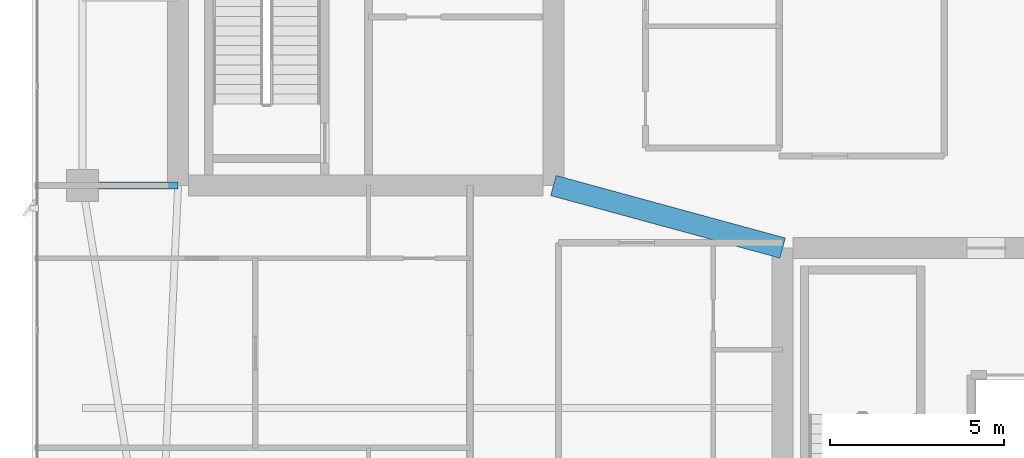
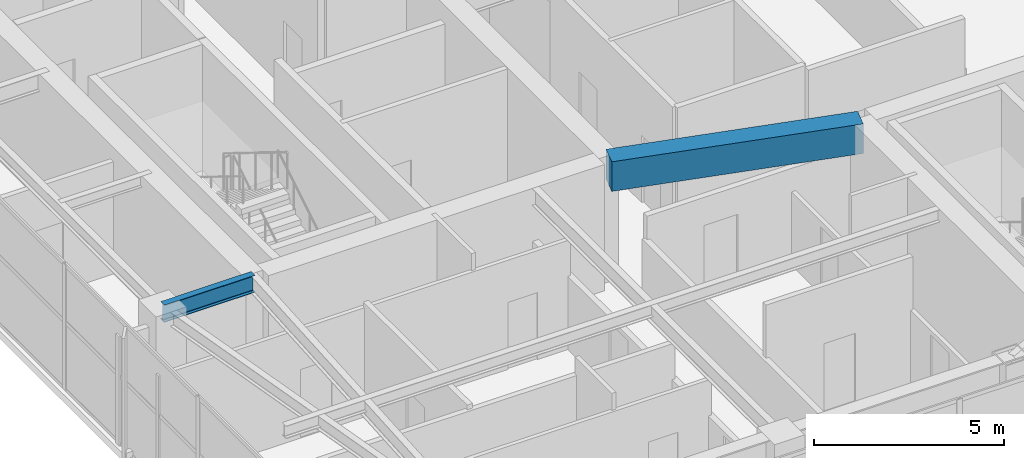
# One storey, part 8 of 26: 2 beams.
"""IFC4 building model written with IfcOpenShell, lengths in metres."""

import ifcopenshell
import ifcopenshell.guid

model = None  # the IFC model being written
_history = None  # IfcOwnerHistory: only IFC2X3 demands one
_inside = {}  # id of a spatial element -> (the spatial element, [elements in it])
_under = {}  # id of a project, library or spatial element -> (it, [spatial elements below it])
_declared = {}  # id of a project -> (the project, [libraries it declares])
_typed = {}  # id of a type object -> (the type object, [elements of that type])
_made_of = {}  # id of a material, layer set ... -> (it, [elements and type objects made of it])


def new_model(schema):
    """Start an empty IFC model of exactly this schema.

    Asked for "IFC4X3", IfcOpenShell would pick the latest addendum, in which some entities
    have other attributes; the version numbers below select the first issue.
    IFC2X3 requires an IfcOwnerHistory on every rooted entity: one is made here for all.
    """
    global model, _history
    if schema == "IFC4X3":
        model = ifcopenshell.file(schema_version=(4, 3, 0, 0))
    else:
        model = ifcopenshell.file(schema=schema)
    _inside.clear()
    _under.clear()
    _declared.clear()
    _typed.clear()
    _made_of.clear()
    _history = None
    if model.schema == "IFC2X3":
        org = make("IfcOrganization", Name="unknown")
        user = make(
            "IfcPersonAndOrganization",
            ThePerson=make("IfcPerson", FamilyName="unknown"),
            TheOrganization=org,
        )
        app = make(
            "IfcApplication",
            ApplicationDeveloper=org,
            Version="unknown",
            ApplicationFullName="unknown",
            ApplicationIdentifier="unknown",
        )
        _history = make(
            "IfcOwnerHistory",
            OwningUser=user,
            OwningApplication=app,
            ChangeAction="ADDED",
            CreationDate=0,
        )
    return model


def make(cls, **values):
    """One entity of the class cls with the attributes given. An attribute that is None is left unset."""
    return model.create_entity(
        cls, **{name: value for name, value in values.items() if value is not None}
    )


def rooted(cls, **values):
    """An entity with a GlobalId (a new one), such as an element, a storey or a relation."""
    return make(cls, GlobalId=ifcopenshell.guid.new(), OwnerHistory=_history, **values)


def si_unit(unit_type, name, prefix=None):
    """IfcSIUnit, for example si_unit("LENGTHUNIT", "METRE", prefix="MILLI")."""
    return make("IfcSIUnit", UnitType=unit_type, Prefix=prefix, Name=name)


def assignment(units):
    """IfcUnitAssignment: the units of a project."""
    return None if units is None else make("IfcUnitAssignment", Units=units)


def point(xyz):
    """IfcCartesianPoint."""
    return None if xyz is None else make("IfcCartesianPoint", Coordinates=xyz)


def direction(xyz):
    """IfcDirection."""
    return None if xyz is None else make("IfcDirection", DirectionRatios=xyz)


def frame(location, z_axis=None, x_axis=None):
    """IfcAxis2Placement3D, a coordinate frame: its origin and axes. An axis left out is left unset."""
    return make(
        "IfcAxis2Placement3D",
        Location=point(location),
        Axis=direction(z_axis),
        RefDirection=direction(x_axis),
    )


def frame_2d(location, x_axis=None):
    """IfcAxis2Placement2D, a coordinate frame in the plane: its origin and x axis."""
    return make(
        "IfcAxis2Placement2D", Location=point(location), RefDirection=direction(x_axis)
    )


def origin():
    """The frame at (0, 0, 0) with its axes left unset."""
    return frame((0.0, 0.0, 0.0))


def origin_2d():
    """The frame at (0, 0) in the plane with its x axis left unset."""
    return frame_2d((0.0, 0.0))


def place(relative_to, where):
    """IfcLocalPlacement: puts the frame where relative to a parent placement (None: the world)."""
    return make(
        "IfcLocalPlacement", PlacementRelTo=relative_to, RelativePlacement=where
    )


def context(
    kind, dimensions, precision=None, world=None, true_north=None, identifier=None
):
    """IfcGeometricRepresentationContext, for example the 3D "Model" context."""
    return make(
        "IfcGeometricRepresentationContext",
        ContextIdentifier=identifier,
        ContextType=kind,
        CoordinateSpaceDimension=dimensions,
        Precision=precision,
        WorldCoordinateSystem=world,
        TrueNorth=true_north,
    )


def subcontext(parent, identifier, kind, view, scale=None):
    """IfcGeometricRepresentationSubContext, for example "Body" below "Model"."""
    return make(
        "IfcGeometricRepresentationSubContext",
        ContextIdentifier=identifier,
        ContextType=kind,
        ParentContext=parent,
        TargetScale=scale,
        TargetView=view,
    )


def project(units=None, contexts=None):
    """IfcProject with its units and contexts."""
    return rooted(
        "IfcProject",
        Name="project",
        RepresentationContexts=contexts,
        UnitsInContext=assignment(units),
    )


def spatial(cls, under=None, at=None, **own):
    """A site, building, storey or space (cls), placed at a placement, below another one or the project."""
    s = rooted(cls, ObjectPlacement=at, **own)
    if under is not None:
        _under.setdefault(under.id(), (under, []))[1].append(s)
    return s


def profile(cls, at=None, kind="AREA", **sizes):
    """A parametric profile (cls). Its sizes go by their IFC names, for example OverallWidth=200.0."""
    return make(cls, ProfileType=kind, Position=at, **sizes)


def rectangle(**sizes):
    """IfcRectangleProfileDef."""
    return profile("IfcRectangleProfileDef", **sizes)


def i_section(**sizes):
    """IfcIShapeProfileDef."""
    return profile("IfcIShapeProfileDef", **sizes)


def extrude(swept, where, along, depth):
    """IfcExtrudedAreaSolid: the profile swept, set in the frame where, extruded along a direction by depth."""
    return make(
        "IfcExtrudedAreaSolid",
        SweptArea=swept,
        Position=where,
        ExtrudedDirection=direction(along),
        Depth=depth,
    )


def shape(context_of_items, identifier, shape_type, items):
    """IfcShapeRepresentation: the items that make up one representation, for example the "Body"."""
    return make(
        "IfcShapeRepresentation",
        ContextOfItems=context_of_items,
        RepresentationIdentifier=identifier,
        RepresentationType=shape_type,
        Items=items,
    )


def material(Name=None, Category=None):
    """IfcMaterial."""
    return make("IfcMaterial", Name=Name, Category=Category)


def material_profile(
    of_material, cross_section, Name=None, Category=None, Priority=None
):
    """IfcMaterialProfile: a cross section and its material."""
    return make(
        "IfcMaterialProfile",
        Name=Name,
        Material=of_material,
        Profile=cross_section,
        Priority=Priority,
        Category=Category,
    )


def profile_set(profiles, Name=None, composite=None):
    """IfcMaterialProfileSet."""
    return make(
        "IfcMaterialProfileSet",
        Name=Name,
        MaterialProfiles=profiles,
        CompositeProfile=composite,
    )


def made_of(thing, what):
    """Note that an element or type object is made of a material, layer set ...; save() writes the relation."""
    if what is not None:
        _made_of.setdefault(what.id(), (what, []))[1].append(thing)
    return thing


def type_object(cls, material=None, **own):
    """A type object (cls), such as IfcWallType, which elements share."""
    return made_of(rooted(cls, **own), material)


def element(
    cls,
    number,
    at=None,
    inside=None,
    cuts=None,
    type_object=None,
    material=None,
    context=None,
    identifier="Body",
    shape_type=None,
    held_by="IfcProductDefinitionShape",
    body=None,
    shapes=None,
    **own,
):
    """One element of the class cls, such as IfcWall. Its Tag is "e" and its number.

    at: its placement. inside: the storey or other place that contains it. cuts: it is an
    opening in that element (IfcRelVoidsElement). A single representation is given by context,
    identifier, shape_type and body (its items); several are given by shapes. held_by: the class
    of the entity that holds the representations. save() writes the other relations.
    """
    e = rooted(cls, Tag="e%d" % number, ObjectPlacement=at, **own)
    if body is not None:
        shapes = [shape(context, identifier, shape_type, body)]
    if shapes is not None:
        e.Representation = make(held_by, Representations=shapes)
    if inside is not None:
        _inside.setdefault(inside.id(), (inside, []))[1].append(e)
    if cuts is not None:
        rooted(
            "IfcRelVoidsElement", RelatingBuildingElement=cuts, RelatedOpeningElement=e
        )
    if type_object is not None:
        _typed.setdefault(type_object.id(), (type_object, []))[1].append(e)
    return made_of(e, material)


def aggregate(whole, parts):
    """IfcRelAggregates: a whole, such as a stair, and the parts it consists of."""
    return rooted("IfcRelAggregates", RelatingObject=whole, RelatedObjects=parts)


def save(model, path):
    """Write the relations noted so far, then the file.

    IfcRelAggregates (storeys below a building ...), IfcRelContainedInSpatialStructure (elements
    in a storey), IfcRelDefinesByType, IfcRelAssociatesMaterial and IfcRelDeclares: one each for
    every whole, place, type object, material and project.
    """
    for whole, parts in _under.values():
        aggregate(whole, parts)
    for where, things in _inside.values():
        rooted(
            "IfcRelContainedInSpatialStructure",
            RelatedElements=things,
            RelatingStructure=where,
        )
    for kind, things in _typed.values():
        rooted("IfcRelDefinesByType", RelatedObjects=things, RelatingType=kind)
    for what, things in _made_of.values():
        rooted("IfcRelAssociatesMaterial", RelatedObjects=things, RelatingMaterial=what)
    for by, libraries in _declared.values():
        rooted("IfcRelDeclares", RelatingContext=by, RelatedDefinitions=libraries)
    model.write(path)


model = new_model("IFC4")

# Units and contexts
model_context = context("Model", 3, precision=1e-05, world=origin(), true_north=direction((0.0, 1.0)))
body_context = subcontext(model_context, "Body", "Model", "MODEL_VIEW")
ifc_project = project(units=[si_unit("LENGTHUNIT", "METRE"), si_unit("AREAUNIT", "SQUARE_METRE"), si_unit("VOLUMEUNIT", "CUBIC_METRE"), si_unit("PLANEANGLEUNIT", "RADIAN"), si_unit("MASSUNIT", "GRAM", prefix="KILO")], contexts=[model_context])

# Site, building, storey
site_placement = place(None, origin())
site = spatial("IfcSite", under=ifc_project, at=site_placement, CompositionType="ELEMENT")
building_placement = place(site_placement, origin())
building = spatial("IfcBuilding", under=site, at=building_placement, Name="Calvorn Quay Hotel", CompositionType="ELEMENT")
storey_placement = place(building_placement, frame((0.0, 0.0, 302.5)))
storey = spatial("IfcBuildingStorey", under=building, at=storey_placement, Name="L75", CompositionType="ELEMENT", Elevation=302.5)

# Beams
ifc_material_1 = material(Name="Steel Q355B", Category="steel")
ifc_material_profile_1 = material_profile(ifc_material_1, i_section(OverallWidth=0.199951171875, OverallDepth=0.550048828125, WebThickness=0.010009765625, FlangeThickness=0.01611328125, FilletRadius=0.01806640625, at=origin_2d()), Name="HN550x200x10x16")
ifc_profile_set_1 = profile_set([ifc_material_profile_1], Name="Steel Q355B")
beam_type_1 = type_object("IfcBeamType", Name="BM-GIRD-UPP", PredefinedType="BEAM", material=ifc_profile_set_1)
beam_1_placement = place(storey_placement, frame((1.449951171875, 16.800048828125, 3.77490234375), z_axis=(1.0, 0.0, 0.0), x_axis=(0.0, 1.0, 0.0)))
element("IfcBeam", 1, at=beam_1_placement, inside=storey, type_object=beam_type_1, Name="Beam BG-L75-W1", PredefinedType="BEAM", context=body_context, shape_type="SweptSolid", body=[
    extrude(i_section(OverallWidth=0.199951171875, OverallDepth=0.550048828125, WebThickness=0.010009765625, FlangeThickness=0.01611328125, FilletRadius=0.01806640625, at=origin_2d()), origin(), (0.0, 0.0, 1.0), 2.75),
])
ifc_material_2 = material(Name="Concrete C45", Category="concrete")
ifc_material_profile_2 = material_profile(ifc_material_2, rectangle(XDim=0.60009765625, YDim=0.949951171875, at=origin_2d()), Name="RCB600x950")
ifc_profile_set_2 = profile_set([ifc_material_profile_2], Name="Concrete C45")
beam_type_2 = type_object("IfcBeamType", Name="BM-RC-LINK-600x950", PredefinedType="BEAM", material=ifc_profile_set_2)
beam_2_placement = place(storey_placement, frame((15.0, 16.800048828125, 3.574951171875), z_axis=(0.964762997686, -0.263120425462, 0.0), x_axis=(0.263120425462, 0.964762997686, 0.0)))
element("IfcBeam", 2, at=beam_2_placement, inside=storey, type_object=beam_type_2, Name="Beam BCL-L75-01", PredefinedType="BEAM", context=body_context, shape_type="SweptSolid", body=[
    extrude(rectangle(XDim=0.60009765625, YDim=0.949951171875, at=origin_2d()), origin(), (0.0, 0.0, 1.0), 6.841064453125),
])

save(model, "model.ifc")
